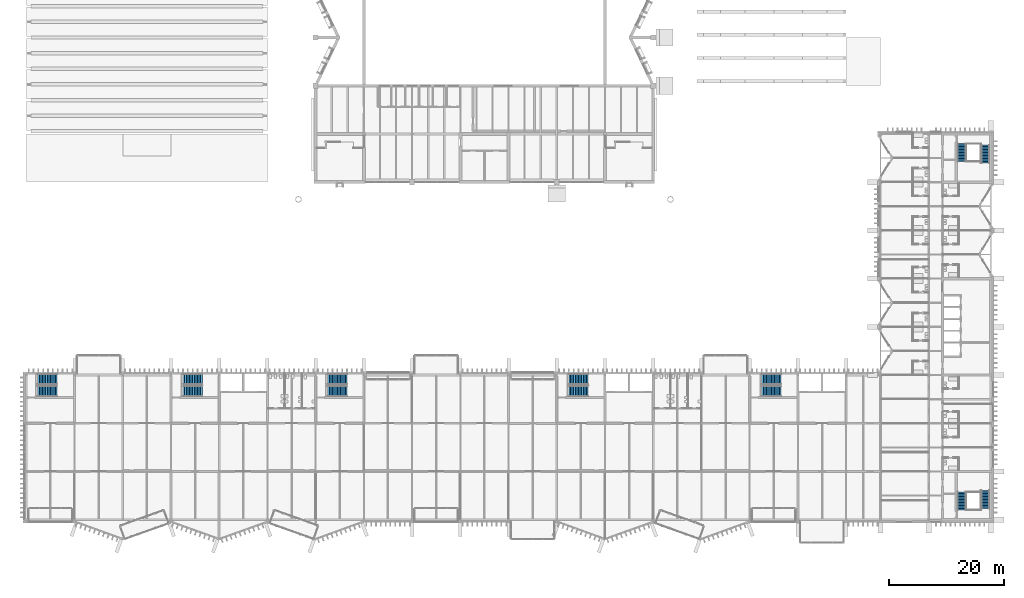
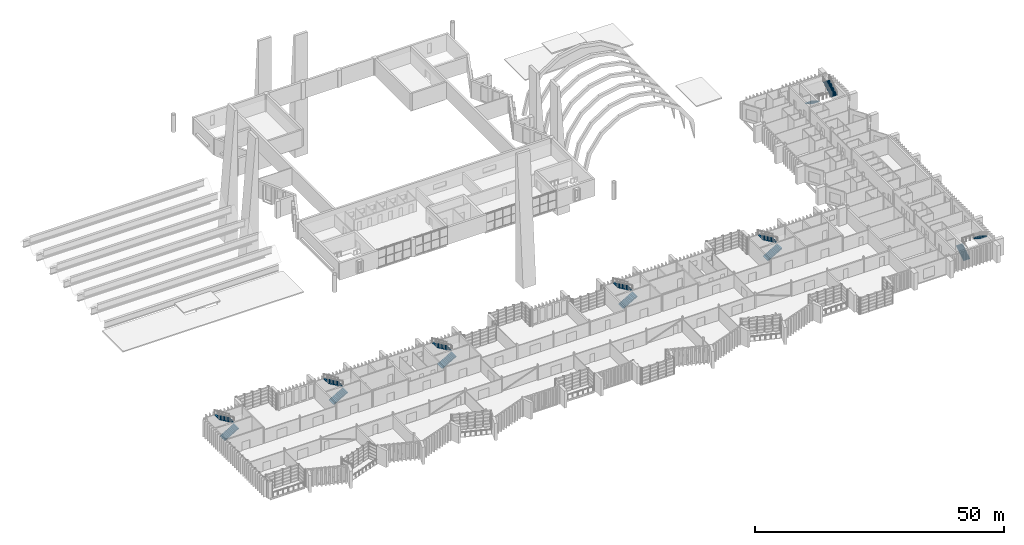
# One storey, part 71 of 88: 14 stair flights, 7 elements without a shape of their own.
"""IFC4 building model written with IfcOpenShell, lengths in metres."""

from ifc_helpers import new_model, si_unit, direction, frame, origin, place, context, subcontext, project, spatial, polyline, outline, extrude, material, type_object, element, aggregate, save


model = new_model("IFC4")

# Units and contexts
model_context = context("Model", 3, precision=1e-05, world=origin(), true_north=direction((0.0, 1.0)))
body_context = subcontext(model_context, "Body", "Model", "MODEL_VIEW")
ifc_project = project(units=[si_unit("LENGTHUNIT", "METRE"), si_unit("AREAUNIT", "SQUARE_METRE"), si_unit("VOLUMEUNIT", "CUBIC_METRE"), si_unit("PLANEANGLEUNIT", "RADIAN"), si_unit("MASSUNIT", "GRAM", prefix="KILO")], contexts=[model_context])

# Site, building, storey
site_placement = place(None, origin())
site = spatial("IfcSite", under=ifc_project, at=site_placement, CompositionType="ELEMENT")
building_placement = place(site_placement, origin())
building = spatial("IfcBuilding", under=site, at=building_placement, Name="Cresset Court Congress Hotel", CompositionType="ELEMENT")
storey_placement = place(building_placement, frame((0.0, 0.0, 14.39990234375)))
storey = spatial("IfcBuildingStorey", under=building, at=storey_placement, Name="L03", CompositionType="ELEMENT", Elevation=14.39990234375)

# Stair, stair flights
ifc_material_1 = material(Name="Concrete C40", Category="concrete")
stair_type_1 = type_object("IfcStairType", Name="Concrete dog-leg stair 5600", PredefinedType="HALF_TURN_STAIR", material=ifc_material_1)
stair_1_placement = place(storey_placement, origin())
stair_1 = element("IfcStair", 1, at=stair_1_placement, inside=storey, type_object=stair_type_1, Name="Stair A1 L03", PredefinedType="HALF_TURN_STAIR")
ifc_material_2 = material(Name="Concrete C40", Category="concrete")
stair_flight_type_1 = type_object("IfcStairFlightType", Name="Concrete stair flight", PredefinedType="STRAIGHT", material=ifc_material_2)
stair_flight_1_placement = place(storey_placement, frame((171.35009765625, 1.699951171875, 0.0), z_axis=(0.0, 0.0, 1.0), x_axis=(0.0, 1.0, 0.0)))
stair_flight_1 = element("IfcStairFlight", 2, at=stair_flight_1_placement, type_object=stair_flight_type_1, Name="A-ST1 flight 1", NumberOfRisers=13, NumberOfTreads=12, PredefinedType="STRAIGHT", RiserHeight=0.161538462, TreadLength=0.26, context=body_context, shape_type="SweptSolid", body=[
    extrude(outline(polyline([(0.0, 0.0), (0.0, 0.16162109375), (0.260009765625, 0.16162109375), (0.260009765625, 0.322998046875), (0.52001953125, 0.322998046875), (0.52001953125, 0.484619140625), (0.780029296875, 0.484619140625), (0.780029296875, 0.646240234375), (1.0400390625, 0.646240234375), (1.0400390625, 0.8076171875), (1.300048828125, 0.8076171875), (1.300048828125, 0.96923828125), (1.56005859375, 0.96923828125), (1.56005859375, 1.130859375), (1.820068359375, 1.130859375), (1.820068359375, 1.292236328125), (2.080078125, 1.292236328125), (2.080078125, 1.453857421875), (2.340087890625, 1.453857421875), (2.340087890625, 1.615478515625), (2.60009765625, 1.615478515625), (2.60009765625, 1.77685546875), (2.860107421875, 1.77685546875), (2.860107421875, 1.9384765625), (3.1201171875, 1.9384765625), (3.1201171875, 2.10009765625), (3.1201171875, 1.761962890625), (0.283935546875, 0.0), (0.0, 0.0)])), frame((0.0, 0.75, 0.0), z_axis=(0.0, -1.0, 0.0), x_axis=(1.0, 0.0, 0.0)), (0.0, 0.0, 1.0), 1.5),
])
stair_flight_2_placement = place(storey_placement, frame((175.449951171875, 5.080078125, 2.10009765625), z_axis=(0.0, 0.0, 1.0), x_axis=(0.0, -1.0, 0.0)))
stair_flight_2 = element("IfcStairFlight", 3, at=stair_flight_2_placement, type_object=stair_flight_type_1, Name="A-ST1 flight 2", NumberOfRisers=13, NumberOfTreads=12, PredefinedType="STRAIGHT", RiserHeight=0.161538462, TreadLength=0.26, context=body_context, shape_type="SweptSolid", body=[
    extrude(outline(polyline([(0.0, 0.0), (0.0, 0.16162109375), (0.260009765625, 0.16162109375), (0.260009765625, 0.322998046875), (0.52001953125, 0.322998046875), (0.52001953125, 0.484619140625), (0.780029296875, 0.484619140625), (0.780029296875, 0.646240234375), (1.0400390625, 0.646240234375), (1.0400390625, 0.8076171875), (1.300048828125, 0.8076171875), (1.300048828125, 0.96923828125), (1.56005859375, 0.96923828125), (1.56005859375, 1.130859375), (1.820068359375, 1.130859375), (1.820068359375, 1.292236328125), (2.080078125, 1.292236328125), (2.080078125, 1.453857421875), (2.340087890625, 1.453857421875), (2.340087890625, 1.615478515625), (2.60009765625, 1.615478515625), (2.60009765625, 1.77685546875), (2.860107421875, 1.77685546875), (2.860107421875, 1.9384765625), (3.1201171875, 1.9384765625), (3.1201171875, 2.10009765625), (3.1201171875, 1.761962890625), (0.283935546875, 0.0), (0.0, 0.0)])), frame((0.0, 0.75, 0.0), z_axis=(0.0, -1.0, 0.0), x_axis=(1.0, 0.0, 0.0)), (0.0, 0.0, 1.0), 1.5),
])
aggregate(stair_1, [stair_flight_1, stair_flight_2])

stair_2_placement = place(storey_placement, origin())
stair_2 = element("IfcStair", 4, at=stair_2_placement, inside=storey, type_object=stair_type_1, Name="Stair A2 L03", PredefinedType="HALF_TURN_STAIR")
stair_flight_3_placement = place(storey_placement, frame((171.35009765625, 65.5, 0.0), z_axis=(0.0, 0.0, 1.0), x_axis=(0.0, -1.0, 0.0)))
stair_flight_3 = element("IfcStairFlight", 5, at=stair_flight_3_placement, type_object=stair_flight_type_1, Name="A-ST1 flight 1", NumberOfRisers=13, NumberOfTreads=12, PredefinedType="STRAIGHT", RiserHeight=0.161538462, TreadLength=0.26, context=body_context, shape_type="SweptSolid", body=[
    extrude(outline(polyline([(0.0, 0.0), (0.0, 0.16162109375), (0.260009765625, 0.16162109375), (0.260009765625, 0.322998046875), (0.52001953125, 0.322998046875), (0.52001953125, 0.484619140625), (0.780029296875, 0.484619140625), (0.780029296875, 0.646240234375), (1.0400390625, 0.646240234375), (1.0400390625, 0.8076171875), (1.300048828125, 0.8076171875), (1.300048828125, 0.96923828125), (1.56005859375, 0.96923828125), (1.56005859375, 1.130859375), (1.820068359375, 1.130859375), (1.820068359375, 1.292236328125), (2.080078125, 1.292236328125), (2.080078125, 1.453857421875), (2.340087890625, 1.453857421875), (2.340087890625, 1.615478515625), (2.60009765625, 1.615478515625), (2.60009765625, 1.77685546875), (2.860107421875, 1.77685546875), (2.860107421875, 1.9384765625), (3.1201171875, 1.9384765625), (3.1201171875, 2.10009765625), (3.1201171875, 1.761962890625), (0.283935546875, 0.0), (0.0, 0.0)])), frame((0.0, 0.75, 0.0), z_axis=(0.0, -1.0, 0.0), x_axis=(1.0, 0.0, 0.0)), (0.0, 0.0, 1.0), 1.5),
])
stair_flight_4_placement = place(storey_placement, frame((175.449951171875, 62.1201171875, 2.10009765625), z_axis=(0.0, 0.0, 1.0), x_axis=(0.0, 1.0, 0.0)))
stair_flight_4 = element("IfcStairFlight", 6, at=stair_flight_4_placement, type_object=stair_flight_type_1, Name="A-ST1 flight 2", NumberOfRisers=13, NumberOfTreads=12, PredefinedType="STRAIGHT", RiserHeight=0.161538462, TreadLength=0.26, context=body_context, shape_type="SweptSolid", body=[
    extrude(outline(polyline([(0.0, 0.0), (0.0, 0.16162109375), (0.260009765625, 0.16162109375), (0.260009765625, 0.322998046875), (0.52001953125, 0.322998046875), (0.52001953125, 0.484619140625), (0.780029296875, 0.484619140625), (0.780029296875, 0.646240234375), (1.0400390625, 0.646240234375), (1.0400390625, 0.8076171875), (1.300048828125, 0.8076171875), (1.300048828125, 0.96923828125), (1.56005859375, 0.96923828125), (1.56005859375, 1.130859375), (1.820068359375, 1.130859375), (1.820068359375, 1.292236328125), (2.080078125, 1.292236328125), (2.080078125, 1.453857421875), (2.340087890625, 1.453857421875), (2.340087890625, 1.615478515625), (2.60009765625, 1.615478515625), (2.60009765625, 1.77685546875), (2.860107421875, 1.77685546875), (2.860107421875, 1.9384765625), (3.1201171875, 1.9384765625), (3.1201171875, 2.10009765625), (3.1201171875, 1.761962890625), (0.283935546875, 0.0), (0.0, 0.0)])), frame((0.0, 0.75, 0.0), z_axis=(0.0, -1.0, 0.0), x_axis=(1.0, 0.0, 0.0)), (0.0, 0.0, 1.0), 1.5),
])
aggregate(stair_2, [stair_flight_3, stair_flight_4])

ifc_material_3 = material(Name="Concrete C40", Category="concrete")
stair_type_2 = type_object("IfcStairType", Name="Dog-leg stair 1400 flights", PredefinedType="HALF_TURN_STAIR", material=ifc_material_3)
stair_3_placement = place(storey_placement, origin())
stair_3 = element("IfcStair", 7, at=stair_3_placement, inside=storey, type_object=stair_type_2, Name="L03 Stair ST-B1", PredefinedType="HALF_TURN_STAIR")
ifc_material_4 = material(Name="Concrete C40", Category="concrete")
stair_flight_type_2 = type_object("IfcStairFlightType", Name="Stair flight 1400", PredefinedType="STRAIGHT", material=ifc_material_4)
stair_flight_5_placement = place(storey_placement, frame((10.3798828125, 22.39990234375, 0.0), z_axis=(0.0, 0.0, 1.0), x_axis=(1.0, 0.0, 0.0)))
stair_flight_5 = element("IfcStairFlight", 8, at=stair_flight_5_placement, type_object=stair_flight_type_2, Name="ST-B1 flight 1", NumberOfRisers=13, NumberOfTreads=12, PredefinedType="STRAIGHT", RiserHeight=0.161538462, TreadLength=0.28, context=body_context, shape_type="SweptSolid", body=[
    extrude(outline(polyline([(0.0, 0.0), (0.0, 0.16162109375), (0.280029296875, 0.16162109375), (0.280029296875, 0.322998046875), (0.56005859375, 0.322998046875), (0.56005859375, 0.484619140625), (0.840087890625, 0.484619140625), (0.840087890625, 0.646240234375), (1.1201171875, 0.646240234375), (1.1201171875, 0.8076171875), (1.39990234375, 0.8076171875), (1.39990234375, 0.96923828125), (1.679931640625, 0.96923828125), (1.679931640625, 1.130859375), (1.9599609375, 1.130859375), (1.9599609375, 1.292236328125), (2.239990234375, 1.292236328125), (2.239990234375, 1.453857421875), (2.52001953125, 1.453857421875), (2.52001953125, 1.615478515625), (2.800048828125, 1.615478515625), (2.800048828125, 1.77685546875), (3.080078125, 1.77685546875), (3.080078125, 1.9384765625), (3.360107421875, 1.9384765625), (3.360107421875, 2.10009765625), (3.360107421875, 1.765380859375), (0.300048828125, 0.0), (0.0, 0.0)])), frame((0.0, 0.949951171875, 0.0), z_axis=(0.0, -1.0, 0.0), x_axis=(1.0, 0.0, 0.0)), (0.0, 0.0, 1.0), 1.89990234375),
])
stair_flight_6_placement = place(storey_placement, frame((13.739990234375, 24.449951171875, 2.10009765625), z_axis=(0.0, 0.0, 1.0), x_axis=(-1.0, 0.0, 0.0)))
stair_flight_6 = element("IfcStairFlight", 9, at=stair_flight_6_placement, type_object=stair_flight_type_2, Name="ST-B1 flight 2", NumberOfRisers=13, NumberOfTreads=12, PredefinedType="STRAIGHT", RiserHeight=0.161538462, TreadLength=0.28, context=body_context, shape_type="SweptSolid", body=[
    extrude(outline(polyline([(0.0, 0.0), (0.0, 0.16162109375), (0.280029296875, 0.16162109375), (0.280029296875, 0.322998046875), (0.56005859375, 0.322998046875), (0.56005859375, 0.484619140625), (0.840087890625, 0.484619140625), (0.840087890625, 0.646240234375), (1.1201171875, 0.646240234375), (1.1201171875, 0.8076171875), (1.39990234375, 0.8076171875), (1.39990234375, 0.96923828125), (1.679931640625, 0.96923828125), (1.679931640625, 1.130859375), (1.9599609375, 1.130859375), (1.9599609375, 1.292236328125), (2.239990234375, 1.292236328125), (2.239990234375, 1.453857421875), (2.52001953125, 1.453857421875), (2.52001953125, 1.615478515625), (2.800048828125, 1.615478515625), (2.800048828125, 1.77685546875), (3.080078125, 1.77685546875), (3.080078125, 1.9384765625), (3.360107421875, 1.9384765625), (3.360107421875, 2.10009765625), (3.360107421875, 1.765380859375), (0.300048828125, 0.0), (0.0, 0.0)])), frame((0.0, 0.949951171875, 0.0), z_axis=(0.0, -1.0, 0.0), x_axis=(1.0, 0.0, 0.0)), (0.0, 0.0, 1.0), 1.89990234375),
])
aggregate(stair_3, [stair_flight_5, stair_flight_6])

stair_4_placement = place(storey_placement, origin())
stair_4 = element("IfcStair", 10, at=stair_4_placement, inside=storey, type_object=stair_type_2, Name="L03 Stair ST-B2", PredefinedType="HALF_TURN_STAIR")
stair_flight_7_placement = place(storey_placement, frame((35.699951171875, 22.39990234375, 0.0), z_axis=(0.0, 0.0, 1.0), x_axis=(1.0, 0.0, 0.0)))
stair_flight_7 = element("IfcStairFlight", 11, at=stair_flight_7_placement, type_object=stair_flight_type_2, Name="ST-B2 flight 1", NumberOfRisers=13, NumberOfTreads=12, PredefinedType="STRAIGHT", RiserHeight=0.161538462, TreadLength=0.28, context=body_context, shape_type="SweptSolid", body=[
    extrude(outline(polyline([(0.0, 0.0), (0.0, 0.16162109375), (0.280029296875, 0.16162109375), (0.280029296875, 0.322998046875), (0.56005859375, 0.322998046875), (0.56005859375, 0.484619140625), (0.840087890625, 0.484619140625), (0.840087890625, 0.646240234375), (1.1201171875, 0.646240234375), (1.1201171875, 0.8076171875), (1.39990234375, 0.8076171875), (1.39990234375, 0.96923828125), (1.679931640625, 0.96923828125), (1.679931640625, 1.130859375), (1.9599609375, 1.130859375), (1.9599609375, 1.292236328125), (2.239990234375, 1.292236328125), (2.239990234375, 1.453857421875), (2.52001953125, 1.453857421875), (2.52001953125, 1.615478515625), (2.800048828125, 1.615478515625), (2.800048828125, 1.77685546875), (3.080078125, 1.77685546875), (3.080078125, 1.9384765625), (3.360107421875, 1.9384765625), (3.360107421875, 2.10009765625), (3.360107421875, 1.765380859375), (0.300048828125, 0.0), (0.0, 0.0)])), frame((0.0, 0.949951171875, 0.0), z_axis=(0.0, -1.0, 0.0), x_axis=(1.0, 0.0, 0.0)), (0.0, 0.0, 1.0), 1.89990234375),
])
stair_flight_8_placement = place(storey_placement, frame((39.06005859375, 24.449951171875, 2.10009765625), z_axis=(0.0, 0.0, 1.0), x_axis=(-1.0, 0.0, 0.0)))
stair_flight_8 = element("IfcStairFlight", 12, at=stair_flight_8_placement, type_object=stair_flight_type_2, Name="ST-B2 flight 2", NumberOfRisers=13, NumberOfTreads=12, PredefinedType="STRAIGHT", RiserHeight=0.161538462, TreadLength=0.28, context=body_context, shape_type="SweptSolid", body=[
    extrude(outline(polyline([(0.0, 0.0), (0.0, 0.16162109375), (0.280029296875, 0.16162109375), (0.280029296875, 0.322998046875), (0.56005859375, 0.322998046875), (0.56005859375, 0.484619140625), (0.840087890625, 0.484619140625), (0.840087890625, 0.646240234375), (1.1201171875, 0.646240234375), (1.1201171875, 0.8076171875), (1.39990234375, 0.8076171875), (1.39990234375, 0.96923828125), (1.679931640625, 0.96923828125), (1.679931640625, 1.130859375), (1.9599609375, 1.130859375), (1.9599609375, 1.292236328125), (2.239990234375, 1.292236328125), (2.239990234375, 1.453857421875), (2.52001953125, 1.453857421875), (2.52001953125, 1.615478515625), (2.800048828125, 1.615478515625), (2.800048828125, 1.77685546875), (3.080078125, 1.77685546875), (3.080078125, 1.9384765625), (3.360107421875, 1.9384765625), (3.360107421875, 2.10009765625), (3.360107421875, 1.765380859375), (0.300048828125, 0.0), (0.0, 0.0)])), frame((0.0, 0.949951171875, 0.0), z_axis=(0.0, -1.0, 0.0), x_axis=(1.0, 0.0, 0.0)), (0.0, 0.0, 1.0), 1.89990234375),
])
aggregate(stair_4, [stair_flight_7, stair_flight_8])

stair_5_placement = place(storey_placement, origin())
stair_5 = element("IfcStair", 13, at=stair_5_placement, inside=storey, type_object=stair_type_2, Name="L03 Stair ST-B3", PredefinedType="HALF_TURN_STAIR")
stair_flight_9_placement = place(storey_placement, frame((60.89990234375, 22.39990234375, 0.0), z_axis=(0.0, 0.0, 1.0), x_axis=(1.0, 0.0, 0.0)))
stair_flight_9 = element("IfcStairFlight", 14, at=stair_flight_9_placement, type_object=stair_flight_type_2, Name="ST-B3 flight 1", NumberOfRisers=13, NumberOfTreads=12, PredefinedType="STRAIGHT", RiserHeight=0.161538462, TreadLength=0.28, context=body_context, shape_type="SweptSolid", body=[
    extrude(outline(polyline([(0.0, 0.0), (0.0, 0.16162109375), (0.280029296875, 0.16162109375), (0.280029296875, 0.322998046875), (0.56005859375, 0.322998046875), (0.56005859375, 0.484619140625), (0.840087890625, 0.484619140625), (0.840087890625, 0.646240234375), (1.1201171875, 0.646240234375), (1.1201171875, 0.8076171875), (1.39990234375, 0.8076171875), (1.39990234375, 0.96923828125), (1.679931640625, 0.96923828125), (1.679931640625, 1.130859375), (1.9599609375, 1.130859375), (1.9599609375, 1.292236328125), (2.239990234375, 1.292236328125), (2.239990234375, 1.453857421875), (2.52001953125, 1.453857421875), (2.52001953125, 1.615478515625), (2.800048828125, 1.615478515625), (2.800048828125, 1.77685546875), (3.080078125, 1.77685546875), (3.080078125, 1.9384765625), (3.360107421875, 1.9384765625), (3.360107421875, 2.10009765625), (3.360107421875, 1.765380859375), (0.300048828125, 0.0), (0.0, 0.0)])), frame((0.0, 0.949951171875, 0.0), z_axis=(0.0, -1.0, 0.0), x_axis=(1.0, 0.0, 0.0)), (0.0, 0.0, 1.0), 1.89990234375),
])
stair_flight_10_placement = place(storey_placement, frame((64.260009765625, 24.449951171875, 2.10009765625), z_axis=(0.0, 0.0, 1.0), x_axis=(-1.0, 0.0, 0.0)))
stair_flight_10 = element("IfcStairFlight", 15, at=stair_flight_10_placement, type_object=stair_flight_type_2, Name="ST-B3 flight 2", NumberOfRisers=13, NumberOfTreads=12, PredefinedType="STRAIGHT", RiserHeight=0.161538462, TreadLength=0.28, context=body_context, shape_type="SweptSolid", body=[
    extrude(outline(polyline([(0.0, 0.0), (0.0, 0.16162109375), (0.280029296875, 0.16162109375), (0.280029296875, 0.322998046875), (0.56005859375, 0.322998046875), (0.56005859375, 0.484619140625), (0.840087890625, 0.484619140625), (0.840087890625, 0.646240234375), (1.1201171875, 0.646240234375), (1.1201171875, 0.8076171875), (1.39990234375, 0.8076171875), (1.39990234375, 0.96923828125), (1.679931640625, 0.96923828125), (1.679931640625, 1.130859375), (1.9599609375, 1.130859375), (1.9599609375, 1.292236328125), (2.239990234375, 1.292236328125), (2.239990234375, 1.453857421875), (2.52001953125, 1.453857421875), (2.52001953125, 1.615478515625), (2.800048828125, 1.615478515625), (2.800048828125, 1.77685546875), (3.080078125, 1.77685546875), (3.080078125, 1.9384765625), (3.360107421875, 1.9384765625), (3.360107421875, 2.10009765625), (3.360107421875, 1.765380859375), (0.300048828125, 0.0), (0.0, 0.0)])), frame((0.0, 0.949951171875, 0.0), z_axis=(0.0, -1.0, 0.0), x_axis=(1.0, 0.0, 0.0)), (0.0, 0.0, 1.0), 1.89990234375),
])
aggregate(stair_5, [stair_flight_9, stair_flight_10])

stair_6_placement = place(storey_placement, origin())
stair_6 = element("IfcStair", 16, at=stair_6_placement, inside=storey, type_object=stair_type_2, Name="L03 Stair ST-B4", PredefinedType="HALF_TURN_STAIR")
stair_flight_11_placement = place(storey_placement, frame((102.89990234375, 22.39990234375, 0.0), z_axis=(0.0, 0.0, 1.0), x_axis=(1.0, 0.0, 0.0)))
stair_flight_11 = element("IfcStairFlight", 17, at=stair_flight_11_placement, type_object=stair_flight_type_2, Name="ST-B4 flight 1", NumberOfRisers=13, NumberOfTreads=12, PredefinedType="STRAIGHT", RiserHeight=0.161538462, TreadLength=0.28, context=body_context, shape_type="SweptSolid", body=[
    extrude(outline(polyline([(0.0, 0.0), (0.0, 0.16162109375), (0.280029296875, 0.16162109375), (0.280029296875, 0.322998046875), (0.56005859375, 0.322998046875), (0.56005859375, 0.484619140625), (0.840087890625, 0.484619140625), (0.840087890625, 0.646240234375), (1.1201171875, 0.646240234375), (1.1201171875, 0.8076171875), (1.39990234375, 0.8076171875), (1.39990234375, 0.96923828125), (1.679931640625, 0.96923828125), (1.679931640625, 1.130859375), (1.9599609375, 1.130859375), (1.9599609375, 1.292236328125), (2.239990234375, 1.292236328125), (2.239990234375, 1.453857421875), (2.52001953125, 1.453857421875), (2.52001953125, 1.615478515625), (2.800048828125, 1.615478515625), (2.800048828125, 1.77685546875), (3.080078125, 1.77685546875), (3.080078125, 1.9384765625), (3.360107421875, 1.9384765625), (3.360107421875, 2.10009765625), (3.360107421875, 1.765380859375), (0.300048828125, 0.0), (0.0, 0.0)])), frame((0.0, 0.949951171875, 0.0), z_axis=(0.0, -1.0, 0.0), x_axis=(1.0, 0.0, 0.0)), (0.0, 0.0, 1.0), 1.89990234375),
])
stair_flight_12_placement = place(storey_placement, frame((106.260009765625, 24.449951171875, 2.10009765625), z_axis=(0.0, 0.0, 1.0), x_axis=(-1.0, 0.0, 0.0)))
stair_flight_12 = element("IfcStairFlight", 18, at=stair_flight_12_placement, type_object=stair_flight_type_2, Name="ST-B4 flight 2", NumberOfRisers=13, NumberOfTreads=12, PredefinedType="STRAIGHT", RiserHeight=0.161538462, TreadLength=0.28, context=body_context, shape_type="SweptSolid", body=[
    extrude(outline(polyline([(0.0, 0.0), (0.0, 0.16162109375), (0.280029296875, 0.16162109375), (0.280029296875, 0.322998046875), (0.56005859375, 0.322998046875), (0.56005859375, 0.484619140625), (0.840087890625, 0.484619140625), (0.840087890625, 0.646240234375), (1.1201171875, 0.646240234375), (1.1201171875, 0.8076171875), (1.39990234375, 0.8076171875), (1.39990234375, 0.96923828125), (1.679931640625, 0.96923828125), (1.679931640625, 1.130859375), (1.9599609375, 1.130859375), (1.9599609375, 1.292236328125), (2.239990234375, 1.292236328125), (2.239990234375, 1.453857421875), (2.52001953125, 1.453857421875), (2.52001953125, 1.615478515625), (2.800048828125, 1.615478515625), (2.800048828125, 1.77685546875), (3.080078125, 1.77685546875), (3.080078125, 1.9384765625), (3.360107421875, 1.9384765625), (3.360107421875, 2.10009765625), (3.360107421875, 1.765380859375), (0.300048828125, 0.0), (0.0, 0.0)])), frame((0.0, 0.949951171875, 0.0), z_axis=(0.0, -1.0, 0.0), x_axis=(1.0, 0.0, 0.0)), (0.0, 0.0, 1.0), 1.89990234375),
])
aggregate(stair_6, [stair_flight_11, stair_flight_12])

stair_7_placement = place(storey_placement, origin())
stair_7 = element("IfcStair", 19, at=stair_7_placement, inside=storey, type_object=stair_type_2, Name="L03 Stair ST-B5", PredefinedType="HALF_TURN_STAIR")
stair_flight_13_placement = place(storey_placement, frame((136.5, 22.39990234375, 0.0), z_axis=(0.0, 0.0, 1.0), x_axis=(1.0, 0.0, 0.0)))
stair_flight_13 = element("IfcStairFlight", 20, at=stair_flight_13_placement, type_object=stair_flight_type_2, Name="ST-B5 flight 1", NumberOfRisers=13, NumberOfTreads=12, PredefinedType="STRAIGHT", RiserHeight=0.161538462, TreadLength=0.28, context=body_context, shape_type="SweptSolid", body=[
    extrude(outline(polyline([(0.0, 0.0), (0.0, 0.16162109375), (0.280029296875, 0.16162109375), (0.280029296875, 0.322998046875), (0.56005859375, 0.322998046875), (0.56005859375, 0.484619140625), (0.840087890625, 0.484619140625), (0.840087890625, 0.646240234375), (1.1201171875, 0.646240234375), (1.1201171875, 0.8076171875), (1.39990234375, 0.8076171875), (1.39990234375, 0.96923828125), (1.679931640625, 0.96923828125), (1.679931640625, 1.130859375), (1.9599609375, 1.130859375), (1.9599609375, 1.292236328125), (2.239990234375, 1.292236328125), (2.239990234375, 1.453857421875), (2.52001953125, 1.453857421875), (2.52001953125, 1.615478515625), (2.800048828125, 1.615478515625), (2.800048828125, 1.77685546875), (3.080078125, 1.77685546875), (3.080078125, 1.9384765625), (3.360107421875, 1.9384765625), (3.360107421875, 2.10009765625), (3.360107421875, 1.765380859375), (0.300048828125, 0.0), (0.0, 0.0)])), frame((0.0, 0.949951171875, 0.0), z_axis=(0.0, -1.0, 0.0), x_axis=(1.0, 0.0, 0.0)), (0.0, 0.0, 1.0), 1.89990234375),
])
stair_flight_14_placement = place(storey_placement, frame((139.860107421875, 24.449951171875, 2.10009765625), z_axis=(0.0, 0.0, 1.0), x_axis=(-1.0, 0.0, 0.0)))
stair_flight_14 = element("IfcStairFlight", 21, at=stair_flight_14_placement, type_object=stair_flight_type_2, Name="ST-B5 flight 2", NumberOfRisers=13, NumberOfTreads=12, PredefinedType="STRAIGHT", RiserHeight=0.161538462, TreadLength=0.28, context=body_context, shape_type="SweptSolid", body=[
    extrude(outline(polyline([(0.0, 0.0), (0.0, 0.16162109375), (0.280029296875, 0.16162109375), (0.280029296875, 0.322998046875), (0.56005859375, 0.322998046875), (0.56005859375, 0.484619140625), (0.840087890625, 0.484619140625), (0.840087890625, 0.646240234375), (1.1201171875, 0.646240234375), (1.1201171875, 0.8076171875), (1.39990234375, 0.8076171875), (1.39990234375, 0.96923828125), (1.679931640625, 0.96923828125), (1.679931640625, 1.130859375), (1.9599609375, 1.130859375), (1.9599609375, 1.292236328125), (2.239990234375, 1.292236328125), (2.239990234375, 1.453857421875), (2.52001953125, 1.453857421875), (2.52001953125, 1.615478515625), (2.800048828125, 1.615478515625), (2.800048828125, 1.77685546875), (3.080078125, 1.77685546875), (3.080078125, 1.9384765625), (3.360107421875, 1.9384765625), (3.360107421875, 2.10009765625), (3.360107421875, 1.765380859375), (0.300048828125, 0.0), (0.0, 0.0)])), frame((0.0, 0.949951171875, 0.0), z_axis=(0.0, -1.0, 0.0), x_axis=(1.0, 0.0, 0.0)), (0.0, 0.0, 1.0), 1.89990234375),
])
aggregate(stair_7, [stair_flight_13, stair_flight_14])

save(model, "model.ifc")
